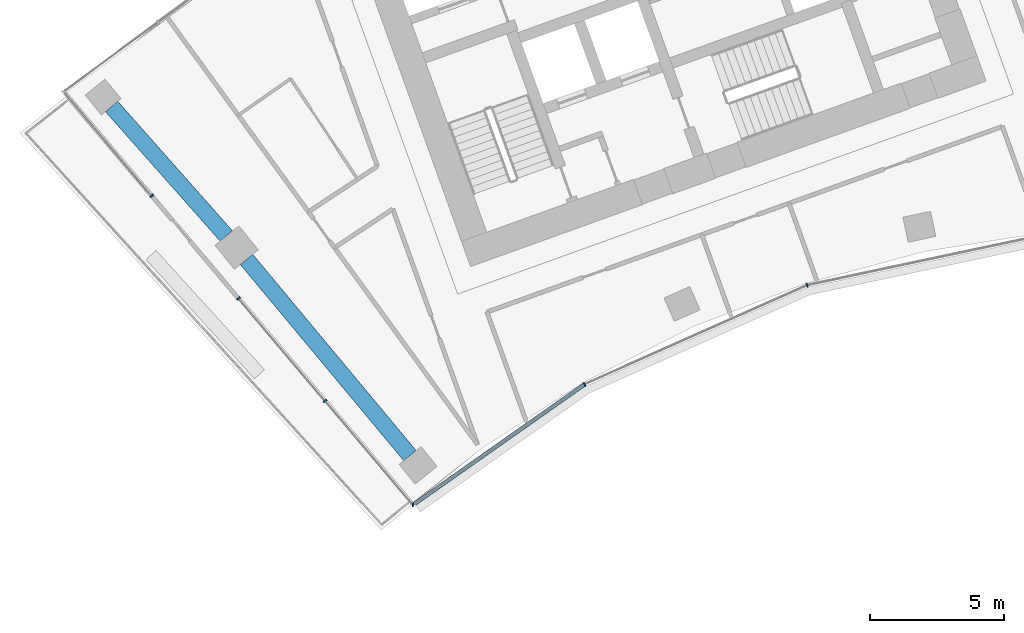
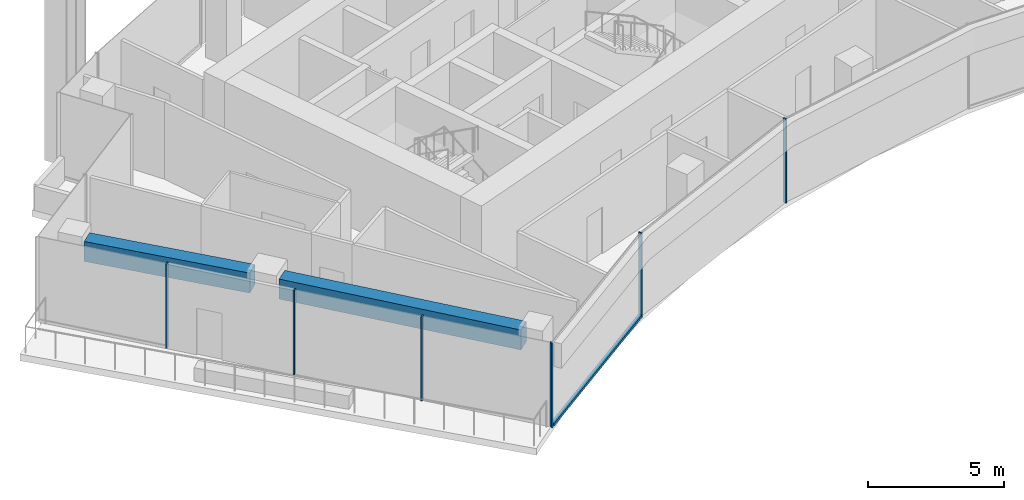
# One storey, part 2 of 18: 7 members, 2 beams, 2 elements without a shape of their own.
"""IFC4 building model written with IfcOpenShell, lengths in metres."""

from ifc_helpers import new_model, si_unit, direction, frame, origin, origin_2d, place, context, subcontext, project, spatial, rectangle, extrude, material, layer, layer_set, material_profile, profile_set, type_object, element, aggregate, save


model = new_model("IFC4")

# Units and contexts
model_context = context("Model", 3, precision=1e-05, world=origin(), true_north=direction((0.0, 1.0)))
body_context = subcontext(model_context, "Body", "Model", "MODEL_VIEW")
ifc_project = project(units=[si_unit("LENGTHUNIT", "METRE"), si_unit("AREAUNIT", "SQUARE_METRE"), si_unit("VOLUMEUNIT", "CUBIC_METRE"), si_unit("PLANEANGLEUNIT", "RADIAN"), si_unit("MASSUNIT", "GRAM", prefix="KILO")], contexts=[model_context])

# Site, building, storey
site_placement = place(None, origin())
site = spatial("IfcSite", under=ifc_project, at=site_placement, CompositionType="ELEMENT")
building_placement = place(site_placement, origin())
building = spatial("IfcBuilding", under=site, at=building_placement, Name="Stone Belt Terrace Tower", CompositionType="ELEMENT")
storey_placement = place(building_placement, frame((0.0, 0.0, 239.0)))
storey = spatial("IfcBuildingStorey", under=building, at=storey_placement, Name="L58", CompositionType="ELEMENT", Elevation=239.0)

# Curtain wall, members
ifc_material_1 = material(Name="Aluminium 6063-T6 anodised frame", Category="aluminium")
ifc_layer_1 = layer(ifc_material_1, 0.14990234375)
ifc_layer_set_1 = layer_set([ifc_layer_1], Name="CW-B unitised concave-face curtain wall")
curtain_wall_type_1 = type_object("IfcCurtainWallType", Name="CW-B unitised concave-face curtain wall", PredefinedType="NOTDEFINED", material=ifc_layer_set_1)
curtain_wall_1_placement = place(storey_placement, origin())
curtain_wall_1 = element("IfcCurtainWall", 1, at=curtain_wall_1_placement, inside=storey, type_object=curtain_wall_type_1, Name="CW-B concave face L58", PredefinedType="NOTDEFINED")
ifc_material_profile_1 = material_profile(ifc_material_1, rectangle(XDim=0.14990234375, YDim=0.050048828125, at=origin_2d()), Name="Aluminium 6063-T6 50x150")
ifc_profile_set_1 = profile_set([ifc_material_profile_1], Name="Aluminium 6063-T6 anodised frame")
member_type_1 = type_object("IfcMemberType", Name="CW-B mullion 50 x 150", PredefinedType="MULLION", material=ifc_profile_set_1)
member_1_placement = place(storey_placement, frame((-28.096923828125, 33.118896484375, 0.0), z_axis=(0.0, 0.0, 1.0), x_axis=(0.12778448981, 0.991801958137, 0.0)))
member_1 = element("IfcMember", 2, at=member_1_placement, type_object=member_type_1, Name="CW-B mullion 1", PredefinedType="MULLION", context=body_context, shape_type="SweptSolid", body=[
    extrude(rectangle(XDim=0.14990234375, YDim=0.050048828125, at=origin_2d()), origin(), (0.0, 0.0, 1.0), 3.800048828125),
])
member_2_placement = place(storey_placement, frame((-21.712890625, 37.6064453125, 0.0), z_axis=(0.0, 0.0, 1.0), x_axis=(-0.493225488301, 0.869901498843, 0.0)))
member_2 = element("IfcMember", 3, at=member_2_placement, type_object=member_type_1, Name="CW-B mullion 2", PredefinedType="MULLION", context=body_context, shape_type="SweptSolid", body=[
    extrude(rectangle(XDim=0.14990234375, YDim=0.050048828125, at=origin_2d()), origin(), (0.0, 0.0, 1.0), 3.800048828125),
])
member_3_placement = place(storey_placement, frame((-13.4189453125, 41.29931640625, 0.0), z_axis=(0.0, 0.0, 1.0), x_axis=(-0.309016994375, 0.951056516295, 0.0)))
member_3 = element("IfcMember", 4, at=member_3_placement, type_object=member_type_1, Name="CW-B mullion 3", PredefinedType="MULLION", context=body_context, shape_type="SweptSolid", body=[
    extrude(rectangle(XDim=0.14990234375, YDim=0.050048828125, at=origin_2d()), origin(), (0.0, 0.0, 1.0), 3.800048828125),
])
ifc_material_profile_2 = material_profile(ifc_material_1, rectangle(XDim=0.14990234375, YDim=0.1201171875, at=origin_2d()), Name="Aluminium 6063-T6 150x120")
ifc_profile_set_2 = profile_set([ifc_material_profile_2], Name="Aluminium 6063-T6 anodised frame")
member_type_2 = type_object("IfcMemberType", Name="CW-B transom 120 x 150", PredefinedType="USERDEFINED", material=ifc_profile_set_2)
member_4_placement = place(storey_placement, frame((-28.040283203125, 33.158447265625, 0.06005859375), z_axis=(0.818083682227, 0.57509919916, 0.0), x_axis=(-0.57509919916, 0.818083682227, 0.0)))
member_4 = element("IfcMember", 5, at=member_4_placement, type_object=member_type_2, Name="CW-B transom 1.1", ObjectType="TRANSOM", PredefinedType="USERDEFINED", context=body_context, shape_type="SweptSolid", body=[
    extrude(rectangle(XDim=0.14990234375, YDim=0.1201171875, at=origin_2d()), origin(), (0.0, 0.0, 1.0), 7.702392578125),
])
aggregate(curtain_wall_1, [member_1, member_2, member_3, member_4])

ifc_layer_2 = layer(ifc_material_1, 0.14990234375)
ifc_layer_set_2 = layer_set([ifc_layer_2], Name="CW-C stick curtain wall, horn ends and notches")
curtain_wall_type_2 = type_object("IfcCurtainWallType", Name="CW-C stick curtain wall, horn ends and notches", PredefinedType="NOTDEFINED", material=ifc_layer_set_2)
curtain_wall_2_placement = place(storey_placement, origin())
curtain_wall_2 = element("IfcCurtainWall", 6, at=curtain_wall_2_placement, inside=storey, type_object=curtain_wall_type_2, Name="CW-C end face L58", PredefinedType="NOTDEFINED")
ifc_material_profile_3 = material_profile(ifc_material_1, rectangle(XDim=0.14990234375, YDim=0.06005859375, at=origin_2d()), Name="Aluminium 6063-T6 60x150")
ifc_profile_set_3 = profile_set([ifc_material_profile_3], Name="Aluminium 6063-T6 anodised frame")
member_type_3 = type_object("IfcMemberType", Name="CW-C mullion 60 x 150", PredefinedType="MULLION", material=ifc_profile_set_3)
member_5_placement = place(storey_placement, frame((-37.8251953125, 44.626220703125, 0.0), z_axis=(0.0, 0.0, 1.0), x_axis=(0.763669618839, 0.645607243812, 0.0)))
member_5 = element("IfcMember", 7, at=member_5_placement, type_object=member_type_3, Name="CW-C mullion 2", PredefinedType="MULLION", context=body_context, shape_type="SweptSolid", body=[
    extrude(rectangle(XDim=0.14990234375, YDim=0.06005859375, at=origin_2d()), origin(), (0.0, 0.0, 1.0), 3.800048828125),
])
member_6_placement = place(storey_placement, frame((-34.59716796875, 40.807861328125, 0.0), z_axis=(0.0, 0.0, 1.0), x_axis=(0.763669618839, 0.645607243812, 0.0)))
member_6 = element("IfcMember", 8, at=member_6_placement, type_object=member_type_3, Name="CW-C mullion 3", PredefinedType="MULLION", context=body_context, shape_type="SweptSolid", body=[
    extrude(rectangle(XDim=0.14990234375, YDim=0.06005859375, at=origin_2d()), origin(), (0.0, 0.0, 1.0), 3.800048828125),
])
member_7_placement = place(storey_placement, frame((-31.369140625, 36.989501953125, 0.0), z_axis=(0.0, 0.0, 1.0), x_axis=(0.763669618839, 0.645607243812, 0.0)))
member_7 = element("IfcMember", 9, at=member_7_placement, type_object=member_type_3, Name="CW-C mullion 4", PredefinedType="MULLION", context=body_context, shape_type="SweptSolid", body=[
    extrude(rectangle(XDim=0.14990234375, YDim=0.06005859375, at=origin_2d()), origin(), (0.0, 0.0, 1.0), 3.800048828125),
])
aggregate(curtain_wall_2, [member_5, member_6, member_7])

# Beams
ifc_material_2 = material(Name="Concrete B60", Category="concrete")
ifc_material_profile_4 = material_profile(ifc_material_2, rectangle(XDim=0.60009765625, YDim=0.89990234375, at=origin_2d()), Name="RC 600x900")
ifc_profile_set_4 = profile_set([ifc_material_profile_4], Name="Concrete B60")
beam_type = type_object("IfcBeamType", Name="Edge beam RC 600x900 B60", PredefinedType="SPANDREL", material=ifc_profile_set_4)
beam_1_placement = place(storey_placement, frame((-28.211669921875, 34.955810546875, 3.030029296875), z_axis=(-0.640174294825, 0.768229700185, 0.0), x_axis=(-0.768229700185, -0.640174294825, 0.0)))
element("IfcBeam", 10, at=beam_1_placement, inside=storey, type_object=beam_type, Name="Edge beam L58 A P to Q", PredefinedType="SPANDREL", context=body_context, shape_type="SweptSolid", body=[
    extrude(rectangle(XDim=0.60009765625, YDim=0.89990234375, at=origin_2d()), origin(), (0.0, 0.0, 1.0), 9.505859375),
])
beam_2_placement = place(storey_placement, frame((-35.046875, 43.131103515625, 3.030029296875), z_axis=(-0.663260257575, 0.748388823221, 0.0), x_axis=(-0.748388823221, -0.663260257575, 0.0)))
element("IfcBeam", 11, at=beam_2_placement, inside=storey, type_object=beam_type, Name="Edge beam L58 A Q to R", PredefinedType="SPANDREL", context=body_context, shape_type="SweptSolid", body=[
    extrude(rectangle(XDim=0.60009765625, YDim=0.89990234375, at=origin_2d()), origin(), (0.0, 0.0, 1.0), 6.444091796875),
])

save(model, "model.ifc")
